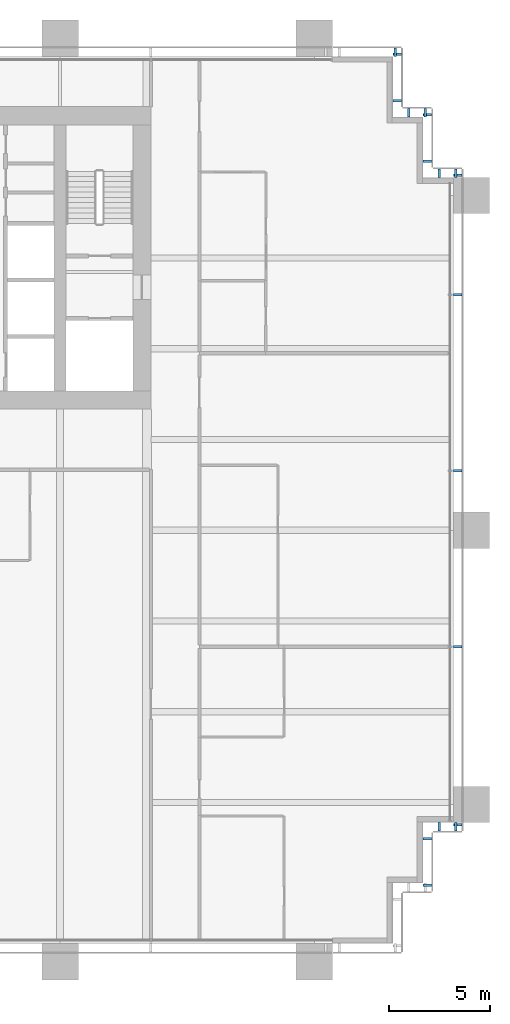
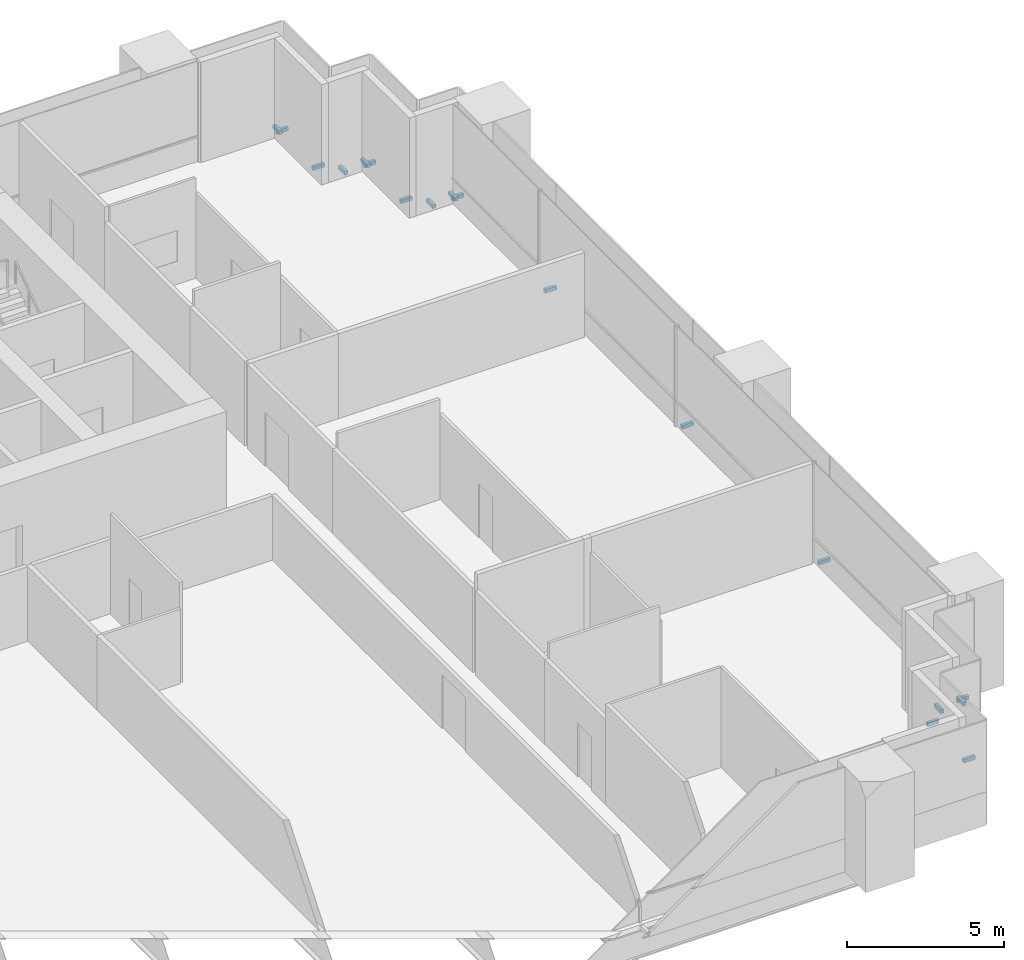
# One storey, part 16 of 19: 18 discrete accessories.
"""IFC4 building model written with IfcOpenShell, lengths in metres."""

from ifc_helpers import new_model, si_unit, direction, frame, origin, origin_2d, place, context, subcontext, project, spatial, rectangle, extrude, element, save


model = new_model("IFC4")

# Units and contexts
model_context = context("Model", 3, precision=1e-05, world=origin(), true_north=direction((0.0, 1.0)))
body_context = subcontext(model_context, "Body", "Model", "MODEL_VIEW")
ifc_project = project(units=[si_unit("LENGTHUNIT", "METRE"), si_unit("AREAUNIT", "SQUARE_METRE"), si_unit("VOLUMEUNIT", "CUBIC_METRE"), si_unit("PLANEANGLEUNIT", "RADIAN"), si_unit("MASSUNIT", "GRAM", prefix="KILO")], contexts=[model_context])

# Site, building, storey
site_placement = place(None, origin())
site = spatial("IfcSite", under=ifc_project, at=site_placement, CompositionType="ELEMENT")
building_placement = place(site_placement, origin())
building = spatial("IfcBuilding", under=site, at=building_placement, Name="Rattan Terrace Tower", CompositionType="ELEMENT")
storey_placement = place(building_placement, frame((0.0, 0.0, 65.199951171875)))
storey = spatial("IfcBuildingStorey", under=building, at=storey_placement, Name="L14", CompositionType="ELEMENT", Elevation=65.199951171875)

# Discrete accessories
for number, where, z_axis, x_axis, name in (
    (1, (31.7099609375, -31.110107421875, -0.169921875), (0.0, 0.0, 1.0), (0.0, 1.0, 0.0), "Panel bracket L14-7"),
    (2, (31.7099609375, -28.7900390625, -0.169921875), (0.0, 0.0, 1.0), (0.0, 1.0, 0.0), "Panel bracket L14-8"),
    (3, (32.2900390625, -28.2099609375, -0.169921875), (0.0, 0.0, 1.0), (1.0, 0.0, 0.0), "Panel bracket L14-9"),
    (4, (33.110107421875, -28.2099609375, -0.169921875), (0.0, 0.0, 1.0), (1.0, 0.0, 0.0), "Panel bracket L14-10"),
    (5, (33.2099609375, -28.110107421875, -0.169921875), (0.0, 0.0, 1.0), (0.0, 1.0, 0.0), "Panel bracket L14-11"),
    (6, (33.2099609375, -19.27294921875, -0.169921875), (0.0, 0.0, 1.0), (0.0, 1.0, 0.0), "Panel bracket L14-12"),
    (7, (33.2099609375, -10.5458984375, -0.169921875), (0.0, 0.0, 1.0), (0.0, 1.0, 0.0), "Panel bracket L14-13"),
    (8, (33.2099609375, -1.819091796875, -0.169921875), (0.0, 0.0, 1.0), (0.0, 1.0, 0.0), "Panel bracket L14-14"),
    (9, (33.2099609375, 4.110107421875, -0.169921875), (0.0, 0.0, 1.0), (0.0, 1.0, 0.0), "Panel bracket L14-15"),
    (10, (33.110107421875, 4.2099609375, -0.169921875), (0.0, 0.0, 1.0), (-1.0, 0.0, 0.0), "Panel bracket L14-16"),
    (11, (32.2900390625, 4.2099609375, -0.169921875), (0.0, 0.0, 1.0), (-1.0, 0.0, 0.0), "Panel bracket L14-17"),
    (12, (31.7099609375, 4.7900390625, -0.169921875), (0.0, 0.0, 1.0), (0.0, 1.0, 0.0), "Panel bracket L14-18"),
    (13, (31.7099609375, 7.110107421875, -0.169921875), (0.0, 0.0, 1.0), (0.0, 1.0, 0.0), "Panel bracket L14-19"),
    (14, (31.610107421875, 7.2099609375, -0.169921875), (0.0, 0.0, 1.0), (-1.0, 0.0, 0.0), "Panel bracket L14-20"),
    (15, (30.7900390625, 7.2099609375, -0.169921875), (0.0, 0.0, 1.0), (-1.0, 0.0, 0.0), "Panel bracket L14-21"),
    (16, (30.2099609375, 7.7900390625, -0.169921875), (0.0, 0.0, 1.0), (0.0, 1.0, 0.0), "Panel bracket L14-22"),
    (17, (30.2099609375, 10.110107421875, -0.169921875), (0.0, 0.0, 1.0), (0.0, 1.0, 0.0), "Panel bracket L14-23"),
    (18, (30.110107421875, 10.2099609375, -0.169921875), (0.0, 0.0, 1.0), (-1.0, 0.0, 0.0), "Panel bracket L14-24"),
):
    element("IfcDiscreteAccessory", number, at=place(storey_placement, frame(where, z_axis=z_axis, x_axis=x_axis)), inside=storey, Name=name, PredefinedType="BRACKET", context=body_context, shape_type="SweptSolid", body=[
        extrude(rectangle(XDim=0.1201171875, YDim=0.419921875, at=origin_2d()), origin(), (0.0, 0.0, 1.0), 0.139892578125),
    ])

save(model, "model.ifc")
